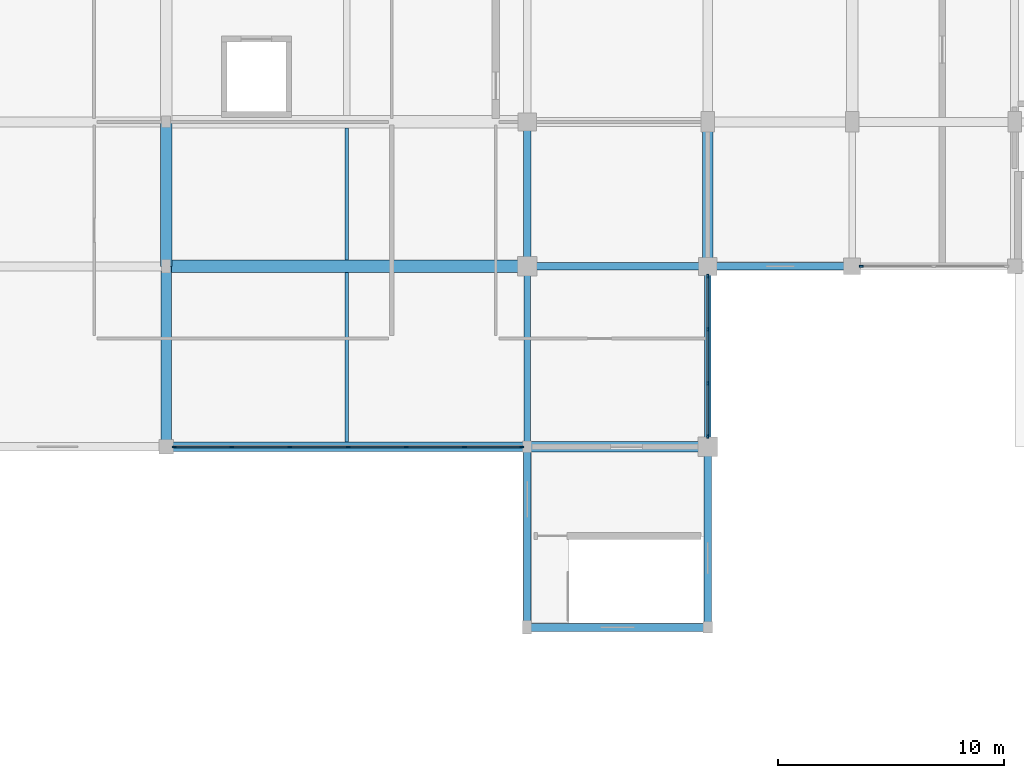
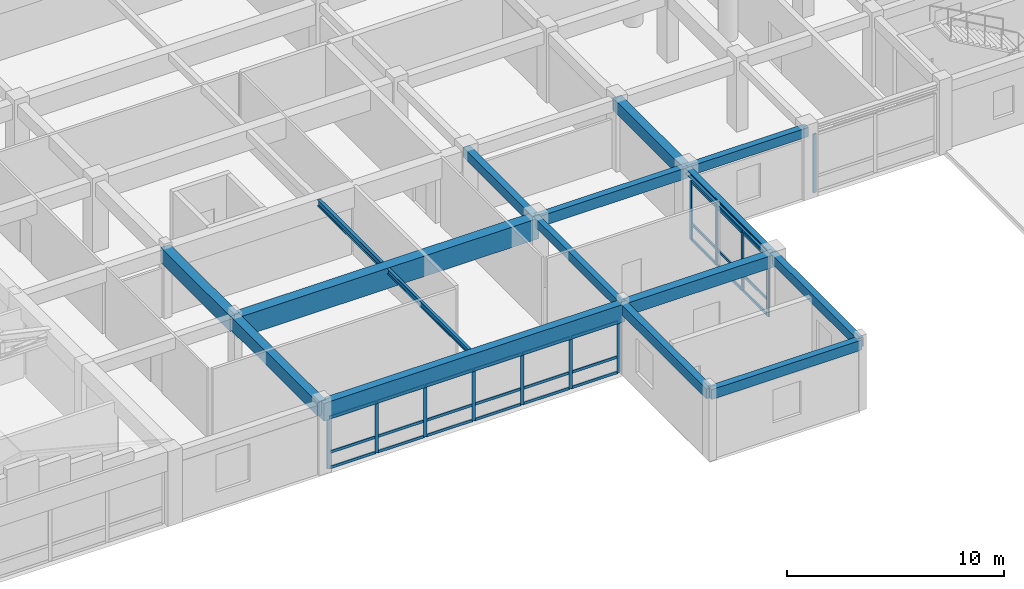
# One storey, part 9 of 35: 39 members, 16 beams, 3 elements without a shape of their own.
"""IFC4 building model written with IfcOpenShell, lengths in metres."""

from ifc_helpers import new_model, si_unit, direction, frame, origin, origin_2d, place, context, subcontext, project, spatial, rectangle, i_section, extrude, material, material_profile, profile_set, type_object, element, aggregate, save


model = new_model("IFC4")

# Units and contexts
model_context = context("Model", 3, precision=1e-05, world=origin(), true_north=direction((0.0, 1.0)))
body_context = subcontext(model_context, "Body", "Model", "MODEL_VIEW")
ifc_project = project(units=[si_unit("LENGTHUNIT", "METRE"), si_unit("AREAUNIT", "SQUARE_METRE"), si_unit("VOLUMEUNIT", "CUBIC_METRE"), si_unit("PLANEANGLEUNIT", "RADIAN"), si_unit("MASSUNIT", "GRAM", prefix="KILO")], contexts=[model_context])

# Site, building, storey
site_placement = place(None, origin())
site = spatial("IfcSite", under=ifc_project, at=site_placement, CompositionType="ELEMENT")
building_placement = place(site_placement, origin())
building = spatial("IfcBuilding", under=site, at=building_placement, Name="Vellmiral Cinema and Media Centre", CompositionType="ELEMENT")
storey_placement = place(building_placement, frame((0.0, 0.0, 15.60009765625)))
storey = spatial("IfcBuildingStorey", under=building, at=storey_placement, Name="L03", CompositionType="ELEMENT", Elevation=15.60009765625)

# Beams
ifc_material_1 = material(Name="Concrete C40/50", Category="concrete")
ifc_material_profile_1 = material_profile(ifc_material_1, rectangle(XDim=0.300048828125, YDim=0.5, at=origin_2d()), Name="RC 300x500")
ifc_profile_set_1 = profile_set([ifc_material_profile_1], Name="Concrete C40/50")
beam_type_1 = type_object("IfcBeamType", Name="BM-RC-300x500", PredefinedType="BEAM", material=ifc_profile_set_1)
beam_1_placement = place(storey_placement, frame((102.39990234375, 51.199951171875, 3.64501953125), z_axis=(0.0, 1.0, 0.0), x_axis=(-1.0, 0.0, 0.0)))
element("IfcBeam", 1, at=beam_1_placement, inside=storey, type_object=beam_type_1, Name="Grid Beam L03-Y089", PredefinedType="BEAM", context=body_context, shape_type="SweptSolid", body=[
    extrude(rectangle(XDim=0.300048828125, YDim=0.5, at=origin_2d()), origin(), (0.0, 0.0, 1.0), 8.0),
])
ifc_material_2 = material(Name="Concrete C40/50", Category="concrete")
ifc_material_profile_2 = material_profile(ifc_material_2, rectangle(XDim=0.35009765625, YDim=0.550048828125, at=origin_2d()), Name="RC 350x550")
ifc_profile_set_2 = profile_set([ifc_material_profile_2], Name="Concrete C40/50")
beam_type_2 = type_object("IfcBeamType", Name="BM-RC-350x550", PredefinedType="BEAM", material=ifc_profile_set_2)
beam_2_placement = place(storey_placement, frame((102.39990234375, 59.199951171875, 3.619873046875), z_axis=(0.0, 1.0, 0.0), x_axis=(-1.0, 0.0, 0.0)))
element("IfcBeam", 2, at=beam_2_placement, inside=storey, type_object=beam_type_2, Name="Grid Beam L03-Y090", PredefinedType="BEAM", context=body_context, shape_type="SweptSolid", body=[
    extrude(rectangle(XDim=0.35009765625, YDim=0.550048828125, at=origin_2d()), origin(), (0.0, 0.0, 1.0), 6.400146484375),
])
ifc_material_3 = material(Name="Concrete C40/50", Category="concrete")
ifc_material_profile_3 = material_profile(ifc_material_3, rectangle(XDim=0.35009765625, YDim=0.60009765625, at=origin_2d()), Name="RC 350x600")
ifc_profile_set_3 = profile_set([ifc_material_profile_3], Name="Concrete C40/50")
beam_type_3 = type_object("IfcBeamType", Name="BM-RC-350x600", PredefinedType="BEAM", material=ifc_profile_set_3)
beam_3_placement = place(storey_placement, frame((102.39990234375, 59.199951171875, 3.594970703125), z_axis=(1.0, 0.0, 0.0), x_axis=(0.0, 1.0, 0.0)))
element("IfcBeam", 3, at=beam_3_placement, inside=storey, type_object=beam_type_3, Name="Grid Beam L03-X009", PredefinedType="BEAM", context=body_context, shape_type="SweptSolid", body=[
    extrude(rectangle(XDim=0.35009765625, YDim=0.60009765625, at=origin_2d()), origin(), (0.0, 0.0, 1.0), 8.0),
])
ifc_material_4 = material(Name="Concrete C40/50", Category="concrete")
ifc_material_profile_4 = material_profile(ifc_material_4, rectangle(XDim=0.449951171875, YDim=0.699951171875, at=origin_2d()), Name="RC 450x700")
ifc_profile_set_4 = profile_set([ifc_material_profile_4], Name="Concrete C40/50")
beam_type_4 = type_object("IfcBeamType", Name="BM-RC-450x700", PredefinedType="BEAM", material=ifc_profile_set_4)
beam_4_placement = place(storey_placement, frame((102.39990234375, 51.199951171875, 3.544921875), z_axis=(1.0, 0.0, 0.0), x_axis=(0.0, 1.0, 0.0)))
element("IfcBeam", 4, at=beam_4_placement, inside=storey, type_object=beam_type_4, Name="Grid Beam L03-X006", PredefinedType="BEAM", context=body_context, shape_type="SweptSolid", body=[
    extrude(rectangle(XDim=0.449951171875, YDim=0.699951171875, at=origin_2d()), origin(), (0.0, 0.0, 1.0), 8.0),
])
beam_5_placement = place(storey_placement, frame((110.39990234375, 59.199951171875, 3.544921875), z_axis=(0.0, 1.0, 0.0), x_axis=(-1.0, 0.0, 0.0)))
element("IfcBeam", 5, at=beam_5_placement, inside=storey, type_object=beam_type_4, Name="Grid Beam L03-Y097", PredefinedType="BEAM", context=body_context, shape_type="SweptSolid", body=[
    extrude(rectangle(XDim=0.449951171875, YDim=0.699951171875, at=origin_2d()), origin(), (0.0, 0.0, 1.0), 6.400146484375),
])
ifc_material_5 = material(Name="Concrete C40/50", Category="concrete")
ifc_material_profile_5 = material_profile(ifc_material_5, rectangle(XDim=0.449951171875, YDim=0.75, at=origin_2d()), Name="RC 450x750")
ifc_profile_set_5 = profile_set([ifc_material_profile_5], Name="Concrete C40/50")
beam_type_5 = type_object("IfcBeamType", Name="BM-RC-450x750", PredefinedType="BEAM", material=ifc_profile_set_5)
beam_6_placement = place(storey_placement, frame((86.39990234375, 51.199951171875, 3.52001953125), z_axis=(0.0, 1.0, 0.0), x_axis=(-1.0, 0.0, 0.0)))
element("IfcBeam", 6, at=beam_6_placement, inside=storey, type_object=beam_type_5, Name="Grid Beam L03-Y082", PredefinedType="BEAM", context=body_context, shape_type="SweptSolid", body=[
    extrude(rectangle(XDim=0.449951171875, YDim=0.75, at=origin_2d()), origin(), (0.0, 0.0, 1.0), 8.0),
])
ifc_material_6 = material(Name="Concrete C40/50", Category="concrete")
ifc_material_profile_6 = material_profile(ifc_material_6, rectangle(XDim=0.5, YDim=0.85009765625, at=origin_2d()), Name="RC 500x850")
ifc_profile_set_6 = profile_set([ifc_material_profile_6], Name="Concrete C40/50")
beam_type_6 = type_object("IfcBeamType", Name="BM-RC-500x850", PredefinedType="BEAM", material=ifc_profile_set_6)
beam_7_placement = place(storey_placement, frame((86.39990234375, 59.199951171875, 3.469970703125), z_axis=(0.0, 1.0, 0.0), x_axis=(-1.0, 0.0, 0.0)))
element("IfcBeam", 7, at=beam_7_placement, inside=storey, type_object=beam_type_6, Name="Grid Beam L03-Y083", PredefinedType="BEAM", context=body_context, shape_type="SweptSolid", body=[
    extrude(rectangle(XDim=0.5, YDim=0.85009765625, at=origin_2d()), origin(), (0.0, 0.0, 1.0), 6.400146484375),
])
ifc_material_7 = material(Name="Concrete C40/50", Category="concrete")
ifc_material_profile_7 = material_profile(ifc_material_7, rectangle(XDim=0.550048828125, YDim=1.14990234375, at=origin_2d()), Name="RC 550x1150")
ifc_profile_set_7 = profile_set([ifc_material_profile_7], Name="Concrete C40/50")
beam_type_7 = type_object("IfcBeamType", Name="BM-RCG-550x1150", PredefinedType="BEAM", material=ifc_profile_set_7)
beam_8_placement = place(storey_placement, frame((86.39990234375, 59.199951171875, 3.31982421875), z_axis=(1.0, 0.0, 0.0), x_axis=(0.0, 1.0, 0.0)))
element("IfcBeam", 8, at=beam_8_placement, inside=storey, type_object=beam_type_7, Name="Grid Beam L03-X008", PredefinedType="BEAM", context=body_context, shape_type="SweptSolid", body=[
    extrude(rectangle(XDim=0.550048828125, YDim=1.14990234375, at=origin_2d()), origin(), (0.0, 0.0, 1.0), 16.0),
])

# Curtain wall, members
ifc_material_8 = material(Name="Thermally Broken Aluminium and Triple Glazing", Category="aluminium")
curtain_wall_type = type_object("IfcCurtainWallType", Name="CW-POD-GALLERY", PredefinedType="USERDEFINED", material=ifc_material_8)
curtain_wall_1_placement = place(storey_placement, origin())
curtain_wall_1 = element("IfcCurtainWall", 9, at=curtain_wall_1_placement, inside=storey, type_object=curtain_wall_type, Name="Curtain Wall L03-B006", ObjectType="STICK CURTAIN WALL", PredefinedType="USERDEFINED")
ifc_material_9 = material(Name="Thermally Broken Anodised Aluminium", Category="aluminium")
ifc_material_profile_8 = material_profile(ifc_material_9, rectangle(XDim=0.070068359375, YDim=0.179931640625, at=origin_2d()), Name="MULL 70x180")
ifc_profile_set_8 = profile_set([ifc_material_profile_8], Name="Thermally Broken Anodised Aluminium")
member_type_1 = type_object("IfcMemberType", Name="CWM-70x180", PredefinedType="MULLION", material=ifc_profile_set_8)
member_1_placement = place(storey_placement, frame((86.760009765625, 51.199951171875, 0.0), z_axis=(0.0, 0.0, 1.0), x_axis=(0.0, 1.0, 0.0)))
member_1 = element("IfcMember", 10, at=member_1_placement, type_object=member_type_1, Name="CW-04 mullion 1", PredefinedType="MULLION", context=body_context, shape_type="SweptSolid", body=[
    extrude(rectangle(XDim=0.070068359375, YDim=0.179931640625, at=origin_2d()), origin(), (0.0, 0.0, 1.0), 2.885009765625),
])
member_2_placement = place(storey_placement, frame((89.30419921875, 51.199951171875, 0.0), z_axis=(0.0, 0.0, 1.0), x_axis=(0.0, 1.0, 0.0)))
member_2 = element("IfcMember", 11, at=member_2_placement, type_object=member_type_1, Name="CW-04 mullion 2", PredefinedType="MULLION", context=body_context, shape_type="SweptSolid", body=[
    extrude(rectangle(XDim=0.070068359375, YDim=0.179931640625, at=origin_2d()), origin(), (0.0, 0.0, 1.0), 2.885009765625),
])
member_3_placement = place(storey_placement, frame((91.88330078125, 51.199951171875, 0.0), z_axis=(0.0, 0.0, 1.0), x_axis=(0.0, 1.0, 0.0)))
member_3 = element("IfcMember", 12, at=member_3_placement, type_object=member_type_1, Name="CW-04 mullion 3", PredefinedType="MULLION", context=body_context, shape_type="SweptSolid", body=[
    extrude(rectangle(XDim=0.070068359375, YDim=0.179931640625, at=origin_2d()), origin(), (0.0, 0.0, 1.0), 2.885009765625),
])
member_4_placement = place(storey_placement, frame((94.46240234375, 51.199951171875, 0.0), z_axis=(0.0, 0.0, 1.0), x_axis=(0.0, 1.0, 0.0)))
member_4 = element("IfcMember", 13, at=member_4_placement, type_object=member_type_1, Name="CW-04 mullion 4", PredefinedType="MULLION", context=body_context, shape_type="SweptSolid", body=[
    extrude(rectangle(XDim=0.070068359375, YDim=0.179931640625, at=origin_2d()), origin(), (0.0, 0.0, 1.0), 2.885009765625),
])
member_5_placement = place(storey_placement, frame((97.041748046875, 51.199951171875, 0.0), z_axis=(0.0, 0.0, 1.0), x_axis=(0.0, 1.0, 0.0)))
member_5 = element("IfcMember", 14, at=member_5_placement, type_object=member_type_1, Name="CW-04 mullion 5", PredefinedType="MULLION", context=body_context, shape_type="SweptSolid", body=[
    extrude(rectangle(XDim=0.070068359375, YDim=0.179931640625, at=origin_2d()), origin(), (0.0, 0.0, 1.0), 2.885009765625),
])
member_6_placement = place(storey_placement, frame((99.620849609375, 51.199951171875, 0.0), z_axis=(0.0, 0.0, 1.0), x_axis=(0.0, 1.0, 0.0)))
member_6 = element("IfcMember", 15, at=member_6_placement, type_object=member_type_1, Name="CW-04 mullion 6", PredefinedType="MULLION", context=body_context, shape_type="SweptSolid", body=[
    extrude(rectangle(XDim=0.070068359375, YDim=0.179931640625, at=origin_2d()), origin(), (0.0, 0.0, 1.0), 2.885009765625),
])
member_7_placement = place(storey_placement, frame((102.1650390625, 51.199951171875, 0.0), z_axis=(0.0, 0.0, 1.0), x_axis=(0.0, 1.0, 0.0)))
member_7 = element("IfcMember", 16, at=member_7_placement, type_object=member_type_1, Name="CW-04 mullion 7", PredefinedType="MULLION", context=body_context, shape_type="SweptSolid", body=[
    extrude(rectangle(XDim=0.070068359375, YDim=0.179931640625, at=origin_2d()), origin(), (0.0, 0.0, 1.0), 2.885009765625),
])

curtain_wall_2_placement = place(storey_placement, origin())
curtain_wall_2 = element("IfcCurtainWall", 17, at=curtain_wall_2_placement, inside=storey, type_object=curtain_wall_type, Name="Curtain Wall L03-B010", ObjectType="STICK CURTAIN WALL", PredefinedType="USERDEFINED")
member_8_placement = place(storey_placement, frame((110.39990234375, 51.659912109375, 0.0), z_axis=(0.0, 0.0, 1.0), x_axis=(-1.0, 0.0, 0.0)))
member_8 = element("IfcMember", 18, at=member_8_placement, type_object=member_type_1, Name="CW-04 mullion 1", PredefinedType="MULLION", context=body_context, shape_type="SweptSolid", body=[
    extrude(rectangle(XDim=0.070068359375, YDim=0.179931640625, at=origin_2d()), origin(), (0.0, 0.0, 1.0), 3.2998046875),
])
member_9_placement = place(storey_placement, frame((110.39990234375, 54.0166015625, 0.0), z_axis=(0.0, 0.0, 1.0), x_axis=(-1.0, 0.0, 0.0)))
member_9 = element("IfcMember", 19, at=member_9_placement, type_object=member_type_1, Name="CW-04 mullion 2", PredefinedType="MULLION", context=body_context, shape_type="SweptSolid", body=[
    extrude(rectangle(XDim=0.070068359375, YDim=0.179931640625, at=origin_2d()), origin(), (0.0, 0.0, 1.0), 3.2998046875),
])
member_10_placement = place(storey_placement, frame((110.39990234375, 56.408447265625, 0.0), z_axis=(0.0, 0.0, 1.0), x_axis=(-1.0, 0.0, 0.0)))
member_10 = element("IfcMember", 20, at=member_10_placement, type_object=member_type_1, Name="CW-04 mullion 3", PredefinedType="MULLION", context=body_context, shape_type="SweptSolid", body=[
    extrude(rectangle(XDim=0.070068359375, YDim=0.179931640625, at=origin_2d()), origin(), (0.0, 0.0, 1.0), 3.2998046875),
])
member_11_placement = place(storey_placement, frame((110.39990234375, 58.764892578125, 0.0), z_axis=(0.0, 0.0, 1.0), x_axis=(-1.0, 0.0, 0.0)))
member_11 = element("IfcMember", 21, at=member_11_placement, type_object=member_type_1, Name="CW-04 mullion 4", PredefinedType="MULLION", context=body_context, shape_type="SweptSolid", body=[
    extrude(rectangle(XDim=0.070068359375, YDim=0.179931640625, at=origin_2d()), origin(), (0.0, 0.0, 1.0), 3.2998046875),
])

# Curtain wall, member
curtain_wall_3_placement = place(storey_placement, origin())
curtain_wall_3 = element("IfcCurtainWall", 22, at=curtain_wall_3_placement, inside=storey, type_object=curtain_wall_type, Name="Curtain Wall L03-B012", ObjectType="STICK CURTAIN WALL", PredefinedType="USERDEFINED")
member_12_placement = place(storey_placement, frame((117.2099609375, 59.199951171875, 0.0), z_axis=(0.0, 0.0, 1.0), x_axis=(0.0, 1.0, 0.0)))
member_12 = element("IfcMember", 23, at=member_12_placement, type_object=member_type_1, Name="CW-04 mullion 1", PredefinedType="MULLION", context=body_context, shape_type="SweptSolid", body=[
    extrude(rectangle(XDim=0.070068359375, YDim=0.179931640625, at=origin_2d()), origin(), (0.0, 0.0, 1.0), 3.2998046875),
])
aggregate(curtain_wall_3, [member_12])

# Member
ifc_material_10 = material(Name="Thermally Broken Anodised Aluminium", Category="aluminium")
ifc_material_profile_9 = material_profile(ifc_material_10, rectangle(XDim=0.070068359375, YDim=0.14990234375, at=origin_2d()), Name="MULL 70x150")
ifc_profile_set_9 = profile_set([ifc_material_profile_9], Name="Thermally Broken Anodised Aluminium")
member_type_2 = type_object("IfcMemberType", Name="CWT-70x150", PredefinedType="USERDEFINED", material=ifc_profile_set_9)
member_13_placement = place(storey_placement, frame((86.794921875, 51.199951171875, 0.034912109375), z_axis=(1.0, 0.0, 0.0), x_axis=(0.0, 1.0, 0.0)))
member_13 = element("IfcMember", 24, at=member_13_placement, type_object=member_type_2, Name="CW-04 transom 1.1", ObjectType="TRANSOM", PredefinedType="USERDEFINED", context=body_context, shape_type="SweptSolid", body=[
    extrude(rectangle(XDim=0.070068359375, YDim=0.14990234375, at=origin_2d()), origin(), (0.0, 0.0, 1.0), 2.474365234375),
])

member_14_placement = place(storey_placement, frame((86.794921875, 51.199951171875, 0.89990234375), z_axis=(1.0, 0.0, 0.0), x_axis=(0.0, 1.0, 0.0)))
member_14 = element("IfcMember", 25, at=member_14_placement, type_object=member_type_2, Name="CW-04 transom 1.2", ObjectType="TRANSOM", PredefinedType="USERDEFINED", context=body_context, shape_type="SweptSolid", body=[
    extrude(rectangle(XDim=0.070068359375, YDim=0.14990234375, at=origin_2d()), origin(), (0.0, 0.0, 1.0), 2.474365234375),
])

member_15_placement = place(storey_placement, frame((86.794921875, 51.199951171875, 2.849853515625), z_axis=(1.0, 0.0, 0.0), x_axis=(0.0, 1.0, 0.0)))
member_15 = element("IfcMember", 26, at=member_15_placement, type_object=member_type_2, Name="CW-04 transom 1.3", ObjectType="TRANSOM", PredefinedType="USERDEFINED", context=body_context, shape_type="SweptSolid", body=[
    extrude(rectangle(XDim=0.070068359375, YDim=0.14990234375, at=origin_2d()), origin(), (0.0, 0.0, 1.0), 2.474365234375),
])

member_16_placement = place(storey_placement, frame((89.339111328125, 51.199951171875, 0.034912109375), z_axis=(1.0, 0.0, 0.0), x_axis=(0.0, 1.0, 0.0)))
member_16 = element("IfcMember", 27, at=member_16_placement, type_object=member_type_2, Name="CW-04 transom 2.1", ObjectType="TRANSOM", PredefinedType="USERDEFINED", context=body_context, shape_type="SweptSolid", body=[
    extrude(rectangle(XDim=0.070068359375, YDim=0.14990234375, at=origin_2d()), origin(), (0.0, 0.0, 1.0), 2.50927734375),
])

member_17_placement = place(storey_placement, frame((89.339111328125, 51.199951171875, 0.89990234375), z_axis=(1.0, 0.0, 0.0), x_axis=(0.0, 1.0, 0.0)))
member_17 = element("IfcMember", 28, at=member_17_placement, type_object=member_type_2, Name="CW-04 transom 2.2", ObjectType="TRANSOM", PredefinedType="USERDEFINED", context=body_context, shape_type="SweptSolid", body=[
    extrude(rectangle(XDim=0.070068359375, YDim=0.14990234375, at=origin_2d()), origin(), (0.0, 0.0, 1.0), 2.50927734375),
])

member_18_placement = place(storey_placement, frame((89.339111328125, 51.199951171875, 2.849853515625), z_axis=(1.0, 0.0, 0.0), x_axis=(0.0, 1.0, 0.0)))
member_18 = element("IfcMember", 29, at=member_18_placement, type_object=member_type_2, Name="CW-04 transom 2.3", ObjectType="TRANSOM", PredefinedType="USERDEFINED", context=body_context, shape_type="SweptSolid", body=[
    extrude(rectangle(XDim=0.070068359375, YDim=0.14990234375, at=origin_2d()), origin(), (0.0, 0.0, 1.0), 2.50927734375),
])

member_19_placement = place(storey_placement, frame((91.918212890625, 51.199951171875, 0.034912109375), z_axis=(1.0, 0.0, 0.0), x_axis=(0.0, 1.0, 0.0)))
member_19 = element("IfcMember", 30, at=member_19_placement, type_object=member_type_2, Name="CW-04 transom 3.1", ObjectType="TRANSOM", PredefinedType="USERDEFINED", context=body_context, shape_type="SweptSolid", body=[
    extrude(rectangle(XDim=0.070068359375, YDim=0.14990234375, at=origin_2d()), origin(), (0.0, 0.0, 1.0), 2.50927734375),
])

member_20_placement = place(storey_placement, frame((91.918212890625, 51.199951171875, 0.89990234375), z_axis=(1.0, 0.0, 0.0), x_axis=(0.0, 1.0, 0.0)))
member_20 = element("IfcMember", 31, at=member_20_placement, type_object=member_type_2, Name="CW-04 transom 3.2", ObjectType="TRANSOM", PredefinedType="USERDEFINED", context=body_context, shape_type="SweptSolid", body=[
    extrude(rectangle(XDim=0.070068359375, YDim=0.14990234375, at=origin_2d()), origin(), (0.0, 0.0, 1.0), 2.50927734375),
])

member_21_placement = place(storey_placement, frame((91.918212890625, 51.199951171875, 2.849853515625), z_axis=(1.0, 0.0, 0.0), x_axis=(0.0, 1.0, 0.0)))
member_21 = element("IfcMember", 32, at=member_21_placement, type_object=member_type_2, Name="CW-04 transom 3.3", ObjectType="TRANSOM", PredefinedType="USERDEFINED", context=body_context, shape_type="SweptSolid", body=[
    extrude(rectangle(XDim=0.070068359375, YDim=0.14990234375, at=origin_2d()), origin(), (0.0, 0.0, 1.0), 2.50927734375),
])

member_22_placement = place(storey_placement, frame((94.49755859375, 51.199951171875, 0.034912109375), z_axis=(1.0, 0.0, 0.0), x_axis=(0.0, 1.0, 0.0)))
member_22 = element("IfcMember", 33, at=member_22_placement, type_object=member_type_2, Name="CW-04 transom 4.1", ObjectType="TRANSOM", PredefinedType="USERDEFINED", context=body_context, shape_type="SweptSolid", body=[
    extrude(rectangle(XDim=0.070068359375, YDim=0.14990234375, at=origin_2d()), origin(), (0.0, 0.0, 1.0), 2.509033203125),
])

member_23_placement = place(storey_placement, frame((94.49755859375, 51.199951171875, 0.89990234375), z_axis=(1.0, 0.0, 0.0), x_axis=(0.0, 1.0, 0.0)))
member_23 = element("IfcMember", 34, at=member_23_placement, type_object=member_type_2, Name="CW-04 transom 4.2", ObjectType="TRANSOM", PredefinedType="USERDEFINED", context=body_context, shape_type="SweptSolid", body=[
    extrude(rectangle(XDim=0.070068359375, YDim=0.14990234375, at=origin_2d()), origin(), (0.0, 0.0, 1.0), 2.509033203125),
])

member_24_placement = place(storey_placement, frame((94.49755859375, 51.199951171875, 2.849853515625), z_axis=(1.0, 0.0, 0.0), x_axis=(0.0, 1.0, 0.0)))
member_24 = element("IfcMember", 35, at=member_24_placement, type_object=member_type_2, Name="CW-04 transom 4.3", ObjectType="TRANSOM", PredefinedType="USERDEFINED", context=body_context, shape_type="SweptSolid", body=[
    extrude(rectangle(XDim=0.070068359375, YDim=0.14990234375, at=origin_2d()), origin(), (0.0, 0.0, 1.0), 2.509033203125),
])

member_25_placement = place(storey_placement, frame((97.07666015625, 51.199951171875, 0.034912109375), z_axis=(1.0, 0.0, 0.0), x_axis=(0.0, 1.0, 0.0)))
member_25 = element("IfcMember", 36, at=member_25_placement, type_object=member_type_2, Name="CW-04 transom 5.1", ObjectType="TRANSOM", PredefinedType="USERDEFINED", context=body_context, shape_type="SweptSolid", body=[
    extrude(rectangle(XDim=0.070068359375, YDim=0.14990234375, at=origin_2d()), origin(), (0.0, 0.0, 1.0), 2.50927734375),
])

member_26_placement = place(storey_placement, frame((97.07666015625, 51.199951171875, 0.89990234375), z_axis=(1.0, 0.0, 0.0), x_axis=(0.0, 1.0, 0.0)))
member_26 = element("IfcMember", 37, at=member_26_placement, type_object=member_type_2, Name="CW-04 transom 5.2", ObjectType="TRANSOM", PredefinedType="USERDEFINED", context=body_context, shape_type="SweptSolid", body=[
    extrude(rectangle(XDim=0.070068359375, YDim=0.14990234375, at=origin_2d()), origin(), (0.0, 0.0, 1.0), 2.50927734375),
])

member_27_placement = place(storey_placement, frame((97.07666015625, 51.199951171875, 2.849853515625), z_axis=(1.0, 0.0, 0.0), x_axis=(0.0, 1.0, 0.0)))
member_27 = element("IfcMember", 38, at=member_27_placement, type_object=member_type_2, Name="CW-04 transom 5.3", ObjectType="TRANSOM", PredefinedType="USERDEFINED", context=body_context, shape_type="SweptSolid", body=[
    extrude(rectangle(XDim=0.070068359375, YDim=0.14990234375, at=origin_2d()), origin(), (0.0, 0.0, 1.0), 2.50927734375),
])

member_28_placement = place(storey_placement, frame((99.65576171875, 51.199951171875, 0.034912109375), z_axis=(1.0, 0.0, 0.0), x_axis=(0.0, 1.0, 0.0)))
member_28 = element("IfcMember", 39, at=member_28_placement, type_object=member_type_2, Name="CW-04 transom 6.1", ObjectType="TRANSOM", PredefinedType="USERDEFINED", context=body_context, shape_type="SweptSolid", body=[
    extrude(rectangle(XDim=0.070068359375, YDim=0.14990234375, at=origin_2d()), origin(), (0.0, 0.0, 1.0), 2.47412109375),
])

member_29_placement = place(storey_placement, frame((99.65576171875, 51.199951171875, 0.89990234375), z_axis=(1.0, 0.0, 0.0), x_axis=(0.0, 1.0, 0.0)))
member_29 = element("IfcMember", 40, at=member_29_placement, type_object=member_type_2, Name="CW-04 transom 6.2", ObjectType="TRANSOM", PredefinedType="USERDEFINED", context=body_context, shape_type="SweptSolid", body=[
    extrude(rectangle(XDim=0.070068359375, YDim=0.14990234375, at=origin_2d()), origin(), (0.0, 0.0, 1.0), 2.47412109375),
])

member_30_placement = place(storey_placement, frame((99.65576171875, 51.199951171875, 2.849853515625), z_axis=(1.0, 0.0, 0.0), x_axis=(0.0, 1.0, 0.0)))
member_30 = element("IfcMember", 41, at=member_30_placement, type_object=member_type_2, Name="CW-04 transom 6.3", ObjectType="TRANSOM", PredefinedType="USERDEFINED", context=body_context, shape_type="SweptSolid", body=[
    extrude(rectangle(XDim=0.070068359375, YDim=0.14990234375, at=origin_2d()), origin(), (0.0, 0.0, 1.0), 2.47412109375),
])

aggregate(curtain_wall_1, [member_1, member_2, member_3, member_4, member_5, member_6, member_7, member_13, member_14, member_15, member_16, member_17, member_18, member_19, member_20, member_21, member_22, member_23, member_24, member_25, member_26, member_27, member_28, member_29, member_30])

member_31_placement = place(storey_placement, frame((110.39990234375, 51.695068359375, 0.034912109375), z_axis=(0.0, 1.0, 0.0), x_axis=(-1.0, 0.0, 0.0)))
member_31 = element("IfcMember", 42, at=member_31_placement, type_object=member_type_2, Name="CW-04 transom 1.1", ObjectType="TRANSOM", PredefinedType="USERDEFINED", context=body_context, shape_type="SweptSolid", body=[
    extrude(rectangle(XDim=0.070068359375, YDim=0.14990234375, at=origin_2d()), origin(), (0.0, 0.0, 1.0), 2.28662109375),
])

member_32_placement = place(storey_placement, frame((110.39990234375, 51.695068359375, 0.89990234375), z_axis=(0.0, 1.0, 0.0), x_axis=(-1.0, 0.0, 0.0)))
member_32 = element("IfcMember", 43, at=member_32_placement, type_object=member_type_2, Name="CW-04 transom 1.2", ObjectType="TRANSOM", PredefinedType="USERDEFINED", context=body_context, shape_type="SweptSolid", body=[
    extrude(rectangle(XDim=0.070068359375, YDim=0.14990234375, at=origin_2d()), origin(), (0.0, 0.0, 1.0), 2.28662109375),
])

member_33_placement = place(storey_placement, frame((110.39990234375, 51.695068359375, 3.264892578125), z_axis=(0.0, 1.0, 0.0), x_axis=(-1.0, 0.0, 0.0)))
member_33 = element("IfcMember", 44, at=member_33_placement, type_object=member_type_2, Name="CW-04 transom 1.3", ObjectType="TRANSOM", PredefinedType="USERDEFINED", context=body_context, shape_type="SweptSolid", body=[
    extrude(rectangle(XDim=0.070068359375, YDim=0.14990234375, at=origin_2d()), origin(), (0.0, 0.0, 1.0), 2.28662109375),
])

member_34_placement = place(storey_placement, frame((110.39990234375, 54.0517578125, 0.034912109375), z_axis=(0.0, 1.0, 0.0), x_axis=(-1.0, 0.0, 0.0)))
member_34 = element("IfcMember", 45, at=member_34_placement, type_object=member_type_2, Name="CW-04 transom 2.1", ObjectType="TRANSOM", PredefinedType="USERDEFINED", context=body_context, shape_type="SweptSolid", body=[
    extrude(rectangle(XDim=0.070068359375, YDim=0.14990234375, at=origin_2d()), origin(), (0.0, 0.0, 1.0), 2.321533203125),
])

member_35_placement = place(storey_placement, frame((110.39990234375, 54.0517578125, 0.89990234375), z_axis=(0.0, 1.0, 0.0), x_axis=(-1.0, 0.0, 0.0)))
member_35 = element("IfcMember", 46, at=member_35_placement, type_object=member_type_2, Name="CW-04 transom 2.2", ObjectType="TRANSOM", PredefinedType="USERDEFINED", context=body_context, shape_type="SweptSolid", body=[
    extrude(rectangle(XDim=0.070068359375, YDim=0.14990234375, at=origin_2d()), origin(), (0.0, 0.0, 1.0), 2.321533203125),
])

member_36_placement = place(storey_placement, frame((110.39990234375, 54.0517578125, 3.264892578125), z_axis=(0.0, 1.0, 0.0), x_axis=(-1.0, 0.0, 0.0)))
member_36 = element("IfcMember", 47, at=member_36_placement, type_object=member_type_2, Name="CW-04 transom 2.3", ObjectType="TRANSOM", PredefinedType="USERDEFINED", context=body_context, shape_type="SweptSolid", body=[
    extrude(rectangle(XDim=0.070068359375, YDim=0.14990234375, at=origin_2d()), origin(), (0.0, 0.0, 1.0), 2.321533203125),
])

member_37_placement = place(storey_placement, frame((110.39990234375, 56.443359375, 0.034912109375), z_axis=(0.0, 1.0, 0.0), x_axis=(-1.0, 0.0, 0.0)))
member_37 = element("IfcMember", 48, at=member_37_placement, type_object=member_type_2, Name="CW-04 transom 3.1", ObjectType="TRANSOM", PredefinedType="USERDEFINED", context=body_context, shape_type="SweptSolid", body=[
    extrude(rectangle(XDim=0.070068359375, YDim=0.14990234375, at=origin_2d()), origin(), (0.0, 0.0, 1.0), 2.28662109375),
])

member_38_placement = place(storey_placement, frame((110.39990234375, 56.443359375, 0.89990234375), z_axis=(0.0, 1.0, 0.0), x_axis=(-1.0, 0.0, 0.0)))
member_38 = element("IfcMember", 49, at=member_38_placement, type_object=member_type_2, Name="CW-04 transom 3.2", ObjectType="TRANSOM", PredefinedType="USERDEFINED", context=body_context, shape_type="SweptSolid", body=[
    extrude(rectangle(XDim=0.070068359375, YDim=0.14990234375, at=origin_2d()), origin(), (0.0, 0.0, 1.0), 2.28662109375),
])

member_39_placement = place(storey_placement, frame((110.39990234375, 56.443359375, 3.264892578125), z_axis=(0.0, 1.0, 0.0), x_axis=(-1.0, 0.0, 0.0)))
member_39 = element("IfcMember", 50, at=member_39_placement, type_object=member_type_2, Name="CW-04 transom 3.3", ObjectType="TRANSOM", PredefinedType="USERDEFINED", context=body_context, shape_type="SweptSolid", body=[
    extrude(rectangle(XDim=0.070068359375, YDim=0.14990234375, at=origin_2d()), origin(), (0.0, 0.0, 1.0), 2.28662109375),
])

aggregate(curtain_wall_2, [member_8, member_9, member_10, member_11, member_31, member_32, member_33, member_34, member_35, member_36, member_37, member_38, member_39])

# Beams
ifc_material_11 = material(Name="Steel S355", Category="steel")
ifc_material_profile_10 = material_profile(ifc_material_11, i_section(OverallWidth=0.300048828125, OverallDepth=0.300048828125, WebThickness=0.010986328125, FlangeThickness=0.01904296875, FilletRadius=0.027099609375, at=origin_2d()), Name="HEB 300")
ifc_profile_set_10 = profile_set([ifc_material_profile_10], Name="Steel S355")
beam_type_8 = type_object("IfcBeamType", Name="SBM-HEB300", PredefinedType="SPANDREL", material=ifc_profile_set_10)
beam_9_placement = place(storey_placement, frame((110.39990234375, 51.199951171875, 3.744873046875), z_axis=(0.0, 1.0, 0.0), x_axis=(-1.0, 0.0, 0.0)))
element("IfcBeam", 51, at=beam_9_placement, inside=storey, type_object=beam_type_8, Name="Grid Beam L03-Y096", PredefinedType="SPANDREL", context=body_context, shape_type="SweptSolid", body=[
    extrude(i_section(OverallWidth=0.300048828125, OverallDepth=0.300048828125, WebThickness=0.010986328125, FlangeThickness=0.01904296875, FilletRadius=0.027099609375, at=origin_2d()), origin(), (0.0, 0.0, 1.0), 8.0),
])
ifc_material_12 = material(Name="Steel S355", Category="steel")
ifc_material_profile_11 = material_profile(ifc_material_12, i_section(OverallWidth=0.14990234375, OverallDepth=0.300048828125, WebThickness=0.007080078125, FlangeThickness=0.0107421875, FilletRadius=0.014892578125, at=origin_2d()), Name="IPE 300")
ifc_profile_set_11 = profile_set([ifc_material_profile_11], Name="Steel S355")
beam_type_9 = type_object("IfcBeamType", Name="SBM-IPE300", PredefinedType="JOIST", material=ifc_profile_set_11)
beam_10_placement = place(storey_placement, frame((94.39990234375, 51.409912109375, 3.744873046875), z_axis=(0.0, 1.0, 0.0), x_axis=(-1.0, 0.0, 0.0)))
element("IfcBeam", 52, at=beam_10_placement, inside=storey, type_object=beam_type_9, Name="Secondary Floor Joist L03-001", PredefinedType="JOIST", context=body_context, shape_type="SweptSolid", body=[
    extrude(i_section(OverallWidth=0.14990234375, OverallDepth=0.300048828125, WebThickness=0.007080078125, FlangeThickness=0.0107421875, FilletRadius=0.014892578125, at=origin_2d()), origin(), (0.0, 0.0, 1.0), 7.51513671875),
])
ifc_material_13 = material(Name="Steel S355", Category="steel")
ifc_material_profile_12 = material_profile(ifc_material_13, i_section(OverallWidth=0.169921875, OverallDepth=0.360107421875, WebThickness=0.008056640625, FlangeThickness=0.0126953125, FilletRadius=0.01806640625, at=origin_2d()), Name="IPE 360")
ifc_profile_set_12 = profile_set([ifc_material_profile_12], Name="Steel S355")
beam_type_10 = type_object("IfcBeamType", Name="SBM-IPE360", PredefinedType="JOIST", material=ifc_profile_set_12)
beam_11_placement = place(storey_placement, frame((94.39990234375, 59.47509765625, 3.71484375), z_axis=(0.0, 1.0, 0.0), x_axis=(-1.0, 0.0, 0.0)))
element("IfcBeam", 53, at=beam_11_placement, inside=storey, type_object=beam_type_10, Name="Secondary Floor Joist L03-002", PredefinedType="JOIST", context=body_context, shape_type="SweptSolid", body=[
    extrude(i_section(OverallWidth=0.169921875, OverallDepth=0.360107421875, WebThickness=0.008056640625, FlangeThickness=0.0126953125, FilletRadius=0.01806640625, at=origin_2d()), origin(), (0.0, 0.0, 1.0), 5.849853515625),
])
ifc_material_14 = material(Name="Concrete C40/50", Category="concrete")
ifc_material_profile_13 = material_profile(ifc_material_14, rectangle(XDim=0.35009765625, YDim=0.56005859375, at=origin_2d()), Name="RC 350x560")
ifc_profile_set_13 = profile_set([ifc_material_profile_13], Name="Concrete C40/50")
beam_type_11 = type_object("IfcBeamType", Name="SPD-RC-350x560", PredefinedType="SPANDREL", material=ifc_profile_set_13)
for number, where, z_axis, x_axis, name in (
    (54, (102.39990234375, 43.199951171875, 3.614990234375), (1.0, 0.0, 0.0), (0.0, 1.0, 0.0), "Grid Beam L03-X003"),
    (55, (102.39990234375, 43.199951171875, 3.614990234375), (0.0, 1.0, 0.0), (-1.0, 0.0, 0.0), "Grid Beam L03-Y088"),
):
    element("IfcBeam", number, at=place(storey_placement, frame(where, z_axis=z_axis, x_axis=x_axis)), inside=storey, type_object=beam_type_11, Name=name, PredefinedType="SPANDREL", context=body_context, shape_type="SweptSolid", body=[
        extrude(rectangle(XDim=0.35009765625, YDim=0.56005859375, at=origin_2d()), origin(), (0.0, 0.0, 1.0), 8.0),
    ])
ifc_material_15 = material(Name="Vosges Red Sandstone Masonry", Category="masonry")
ifc_material_profile_14 = material_profile(ifc_material_15, rectangle(XDim=0.340087890625, YDim=0.52001953125, at=origin_2d()), Name="SAND 340x520")
ifc_profile_set_14 = profile_set([ifc_material_profile_14], Name="Vosges Red Sandstone Masonry")
beam_type_12 = type_object("IfcBeamType", Name="SPD-SAND-340x520", PredefinedType="SPANDREL", material=ifc_profile_set_14)
beam_12_placement = place(storey_placement, frame((110.39990234375, 59.199951171875, 3.635009765625), z_axis=(1.0, 0.0, 0.0), x_axis=(0.0, 1.0, 0.0)))
element("IfcBeam", 56, at=beam_12_placement, inside=storey, type_object=beam_type_12, Name="Grid Beam L03-X010", PredefinedType="SPANDREL", context=body_context, shape_type="SweptSolid", body=[
    extrude(rectangle(XDim=0.340087890625, YDim=0.52001953125, at=origin_2d()), origin(), (0.0, 0.0, 1.0), 6.400146484375),
])
beam_13_placement = place(storey_placement, frame((110.39990234375, 43.199951171875, 3.635009765625), z_axis=(0.0, 1.0, 0.0), x_axis=(-1.0, 0.0, 0.0)))
element("IfcBeam", 57, at=beam_13_placement, inside=storey, type_object=beam_type_12, Name="Grid Beam L03-Y095", PredefinedType="SPANDREL", context=body_context, shape_type="SweptSolid", body=[
    extrude(rectangle(XDim=0.340087890625, YDim=0.52001953125, at=origin_2d()), origin(), (0.0, 0.0, 1.0), 8.0),
])
ifc_material_16 = material(Name="Vosges Red Sandstone Masonry", Category="masonry")
ifc_material_profile_15 = material_profile(ifc_material_16, rectangle(XDim=0.419921875, YDim=1.0, at=origin_2d()), Name="SAND 420x1000")
ifc_profile_set_15 = profile_set([ifc_material_profile_15], Name="Vosges Red Sandstone Masonry")
beam_type_13 = type_object("IfcBeamType", Name="SPD-SANDG-420x1000", PredefinedType="SPANDREL", material=ifc_profile_set_15)
beam_14_placement = place(storey_placement, frame((86.39990234375, 51.199951171875, 3.39501953125), z_axis=(1.0, 0.0, 0.0), x_axis=(0.0, 1.0, 0.0)))
element("IfcBeam", 58, at=beam_14_placement, inside=storey, type_object=beam_type_13, Name="Grid Beam L03-X005", PredefinedType="SPANDREL", context=body_context, shape_type="SweptSolid", body=[
    extrude(rectangle(XDim=0.419921875, YDim=1.0, at=origin_2d()), origin(), (0.0, 0.0, 1.0), 16.0),
])

save(model, "model.ifc")
